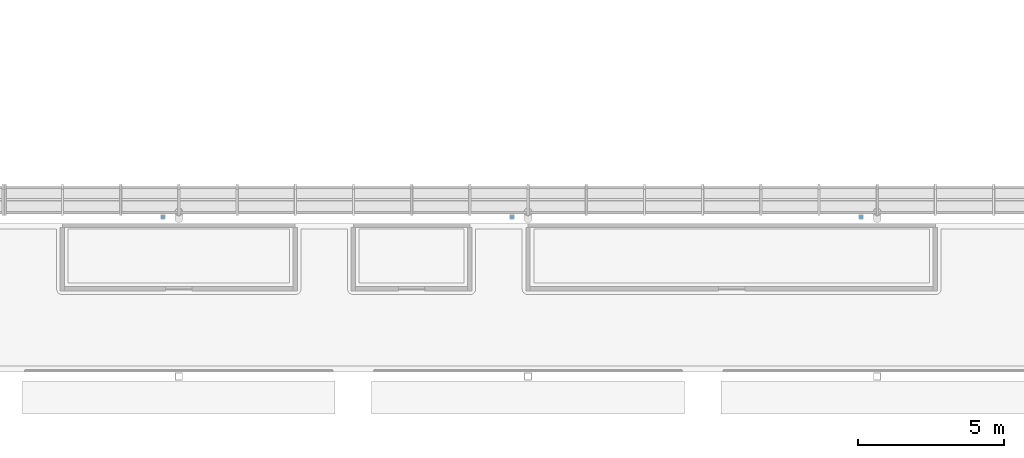
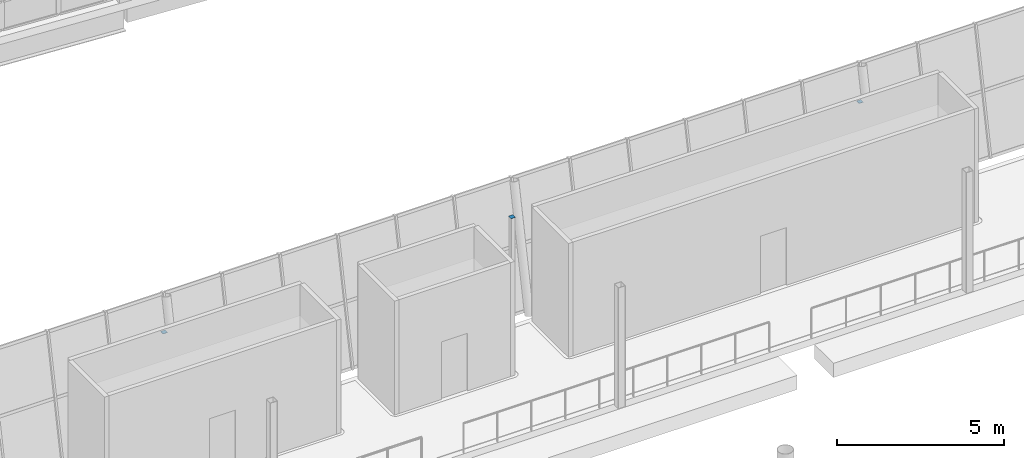
# One storey, part 89 of 115: 3 discrete accessories.
"""IFC4 building model written with IfcOpenShell, lengths in metres."""

from ifc_helpers import new_model, si_unit, direction, frame, origin, origin_2d, place, context, subcontext, project, spatial, rectangle, extrude, material, layer, layer_set, type_object, element, save


model = new_model("IFC4")

# Units and contexts
model_context = context("Model", 3, precision=1e-05, world=origin(), true_north=direction((0.0, 1.0)))
body_context = subcontext(model_context, "Body", "Model", "MODEL_VIEW")
ifc_project = project(units=[si_unit("LENGTHUNIT", "METRE"), si_unit("AREAUNIT", "SQUARE_METRE"), si_unit("VOLUMEUNIT", "CUBIC_METRE"), si_unit("PLANEANGLEUNIT", "RADIAN"), si_unit("MASSUNIT", "GRAM", prefix="KILO")], contexts=[model_context])

# Site, building, storey
site_placement = place(None, origin())
site = spatial("IfcSite", under=ifc_project, at=site_placement, CompositionType="ELEMENT")
building_placement = place(site_placement, origin())
building = spatial("IfcBuilding", under=site, at=building_placement, Name="Windward Yard Aquatics Centre", CompositionType="ELEMENT")
storey_placement = place(building_placement, frame((0.0, 0.0, 5.0)))
storey = spatial("IfcBuildingStorey", under=building, at=storey_placement, Name="L01", CompositionType="ELEMENT", Elevation=5.0)

# Discrete accessories
ifc_material = material(Name="Steel S355", Category="steel")
ifc_layer = layer(ifc_material, 0.010009765625)
ifc_layer_set = layer_set([ifc_layer], Name="End cap plate 10 mm RHS152.4x152.4x12.7")
discrete_accessory_type = type_object("IfcDiscreteAccessoryType", Name="End cap plate 10 mm RHS152.4x152.4x12.7", PredefinedType="USERDEFINED", material=ifc_layer_set)
for number, where, z_axis, x_axis, name in (
    (1, (131.449951171875, 95.77490234375, 3.742919921875), (0.0, 0.0, 1.0), (1.0, 0.0, 0.0), "End cap"),
    (2, (119.449951171875, 95.77490234375, 3.742919921875), (0.0, 0.0, 1.0), (1.0, 0.0, 0.0), "End cap"),
    (3, (107.449951171875, 95.77490234375, 3.742919921875), (0.0, 0.0, 1.0), (1.0, 0.0, 0.0), "End cap"),
):
    element("IfcDiscreteAccessory", number, at=place(storey_placement, frame(where, z_axis=z_axis, x_axis=x_axis)), inside=storey, type_object=discrete_accessory_type, Name=name, ObjectType="END CAP", PredefinedType="USERDEFINED", context=body_context, shape_type="SweptSolid", body=[
        extrude(rectangle(XDim=0.15234375, YDim=0.15234375, at=origin_2d()), origin(), (0.0, 0.0, 1.0), 0.010009765625),
    ])

save(model, "model.ifc")
